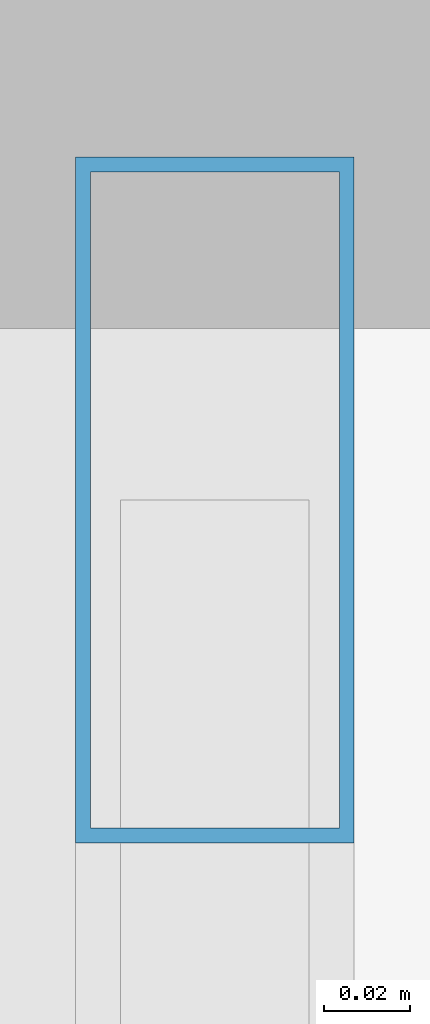
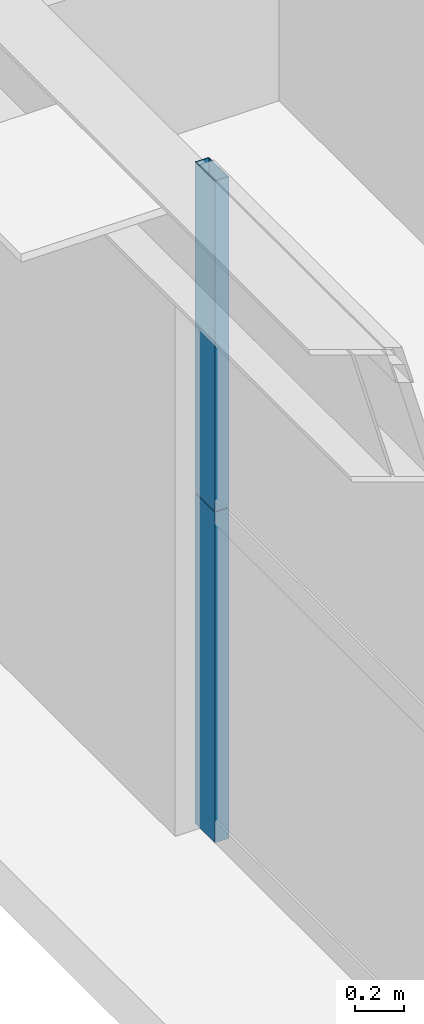
# One storey, part 22 of 36: 2 members, 1 element without a shape of its own.
"""IFC4 building model written with IfcOpenShell, lengths in metres."""

from ifc_helpers import new_model, si_unit, direction, frame, origin, origin_2d, place, context, subcontext, project, spatial, hollow_rectangle, extrude, source, transform, mapped, material, layer, layer_set, material_profile, profile_set, type_object, element, aggregate, save


model = new_model("IFC4")

# Units and contexts
model_context = context("Model", 3, precision=1e-05, world=origin(), true_north=direction((0.0, 1.0)))
body_context = subcontext(model_context, "Body", "Model", "MODEL_VIEW")
ifc_project = project(units=[si_unit("LENGTHUNIT", "METRE"), si_unit("AREAUNIT", "SQUARE_METRE"), si_unit("VOLUMEUNIT", "CUBIC_METRE"), si_unit("PLANEANGLEUNIT", "RADIAN"), si_unit("MASSUNIT", "GRAM", prefix="KILO"), si_unit("THERMODYNAMICTEMPERATUREUNIT", "KELVIN"), si_unit("POWERUNIT", "WATT")], contexts=[model_context])

# Site, building, storey
site_placement = place(None, origin())
site = spatial("IfcSite", under=ifc_project, at=site_placement, CompositionType="ELEMENT")
building_placement = place(site_placement, origin())
building = spatial("IfcBuilding", under=site, at=building_placement, Name="Yuzanri Waterfront Tower", CompositionType="ELEMENT")
storey_placement = place(building_placement, frame((0.0, 0.0, 231.10009765625)))
storey = spatial("IfcBuildingStorey", under=building, at=storey_placement, Name="L61", CompositionType="ELEMENT", Elevation=231.10009765625)

# Curtain wall, members
ifc_material_1 = material(Name="Anodized Architectural Bronze", Category="metal")
ifc_layer = layer(ifc_material_1, 0.159912109375)
ifc_layer_set = layer_set([ifc_layer], Name="Anodized Architectural Bronze")
curtain_wall_type = type_object("IfcCurtainWallType", Name="Anodized Bronze Mid-Rise Residential Acoustic Unitized Curtain Wall 7200", PredefinedType="NOTDEFINED", material=ifc_layer_set)
curtain_wall_placement = place(storey_placement, origin())
curtain_wall = element("IfcCurtainWall", 1, at=curtain_wall_placement, inside=storey, type_object=curtain_wall_type, Name="L61 Curtain Wall CW-L61-WR", PredefinedType="NOTDEFINED")
ifc_material_2 = material(Name="Anodized Architectural Bronze", Category="metal")
ifc_material_profile = material_profile(ifc_material_2, hollow_rectangle(XDim=0.06494140625, YDim=0.159912109375, WallThickness=0.00341796875, at=origin_2d()), Name="CWM 65x160")
ifc_profile_set = profile_set([ifc_material_profile], Name="Anodized Architectural Bronze")
member_type = type_object("IfcMemberType", Name="Anodized Bronze Upper-Zone Curtain-Wall Mullion 65x160", PredefinedType="MULLION", material=ifc_profile_set)
shared_shape = source(origin(), body_context, "Body", "SweptSolid", [
    extrude(hollow_rectangle(XDim=0.06494140625, YDim=0.159912109375, WallThickness=0.00341796875, at=origin_2d()), origin(), (0.0, 0.0, 1.0), 1.637939453125),
])
member_1_placement = place(storey_placement, frame((16.550048828125, 39.010009765625, 0.0), z_axis=(0.0, 0.0, 1.0), x_axis=(1.0, 0.0, 0.0)))
member_1 = element("IfcMember", 2, at=member_1_placement, type_object=member_type, Name="CW-L61-WR Lower Mullion 02", PredefinedType="MULLION", context=body_context, shape_type="MappedRepresentation", body=[
    mapped(shared_shape, transform((0.0, 0.0, 0.0), scale=1.0)),
])
member_2_placement = place(storey_placement, frame((16.550048828125, 39.010009765625, 1.641845703125), z_axis=(0.0, 0.0, 1.0), x_axis=(1.0, 0.0, 0.0)))
member_2 = element("IfcMember", 3, at=member_2_placement, type_object=member_type, Name="CW-L61-WR Upper Mullion 02", PredefinedType="MULLION", context=body_context, shape_type="MappedRepresentation", body=[
    mapped(shared_shape, transform((0.0, 0.0, 0.0), scale=1.0)),
])
aggregate(curtain_wall, [member_1, member_2])

save(model, "model.ifc")
